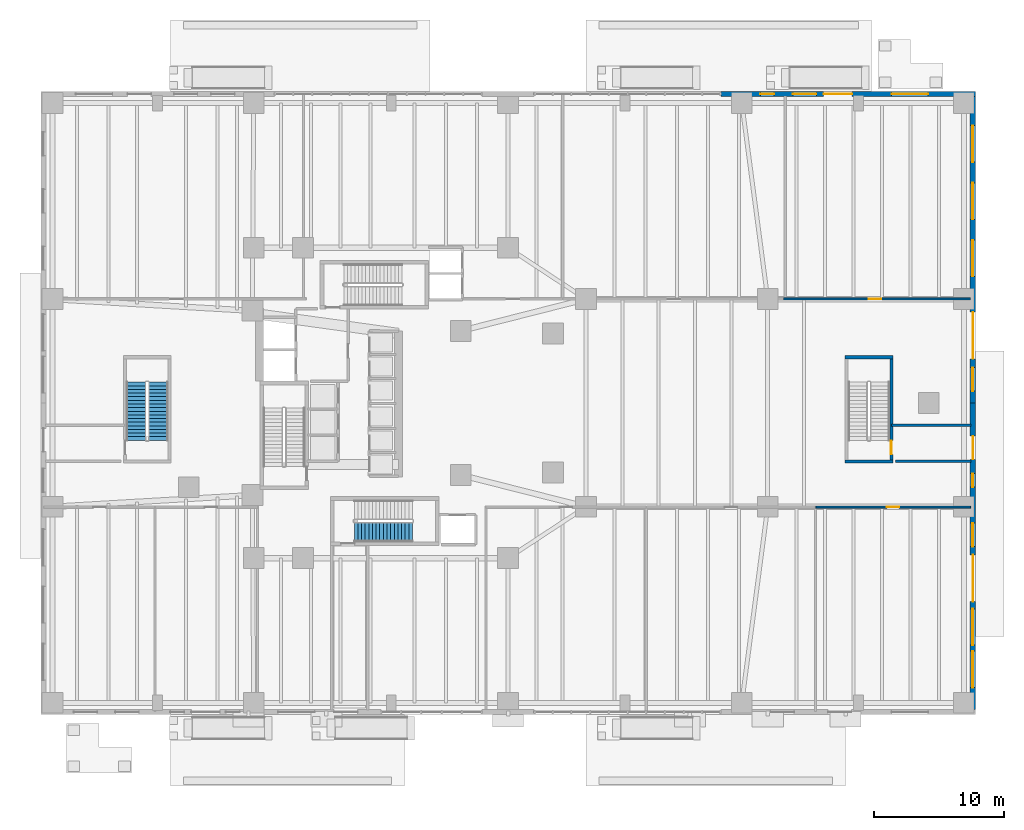
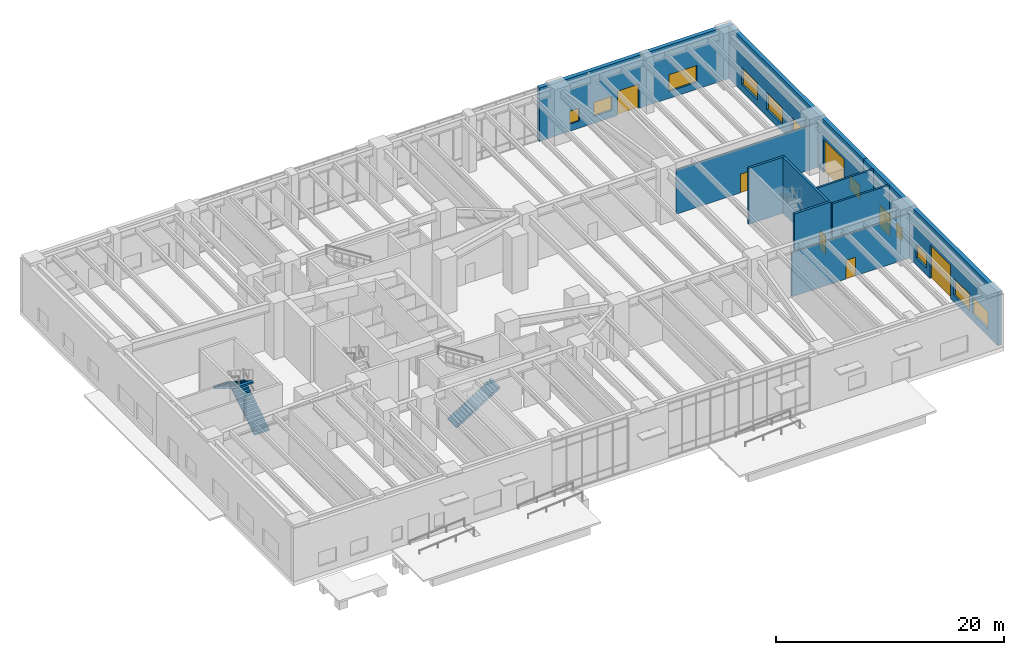
# One storey, part 22 of 28: 11 windows, 10 walls, 7 doors, 3 stair flights, 18 openings, 2 elements without a shape of their own.
"""IFC4 building model written with IfcOpenShell, lengths in metres."""

from ifc_helpers import new_model, si_unit, direction, frame, frame_2d, origin, place, context, subcontext, project, spatial, polyline, rectangle, outline, extrude, material, layer, layer_set, type_object, element, fill, aggregate, save


model = new_model("IFC4")

# Units and contexts
model_context = context("Model", 3, precision=1e-05, world=origin(), true_north=direction((0.0, 1.0)))
body_context = subcontext(model_context, "Body", "Model", "MODEL_VIEW")
ifc_project = project(units=[si_unit("LENGTHUNIT", "METRE"), si_unit("AREAUNIT", "SQUARE_METRE"), si_unit("VOLUMEUNIT", "CUBIC_METRE"), si_unit("PLANEANGLEUNIT", "RADIAN"), si_unit("MASSUNIT", "GRAM", prefix="KILO"), si_unit("THERMODYNAMICTEMPERATUREUNIT", "KELVIN"), si_unit("POWERUNIT", "WATT")], contexts=[model_context])

# Site, building, storey
site_placement = place(None, origin())
site = spatial("IfcSite", under=ifc_project, at=site_placement, CompositionType="ELEMENT")
building_placement = place(site_placement, origin())
building = spatial("IfcBuilding", under=site, at=building_placement, Name="Skarre Station Tower", CompositionType="ELEMENT")
storey_placement = place(building_placement, origin())
storey = spatial("IfcBuildingStorey", under=building, at=storey_placement, Name="L01", CompositionType="ELEMENT", Elevation=0.0)

# Wall, opening, door
ifc_material_1 = material(Name="Acoustic Steel-Stud Gypsum Partition", Category="steel")
ifc_layer_1 = layer(ifc_material_1, 0.14990234375, Name="Acoustic Steel-Stud Gypsum Partition")
ifc_layer_set_1 = layer_set([ifc_layer_1], Name="Acoustic Steel-Stud Gypsum Partition")
wall_type_1 = type_object("IfcWallType", Name="Fire-Rated Corridor Acoustic Partition 150", PredefinedType="PARTITIONING", material=ifc_layer_set_1)
wall_1_placement = place(storey_placement, frame((59.7041015625, 15.97998046875, 0.0), z_axis=(0.0, 0.0, 1.0), x_axis=(1.0, 0.0, 0.0)))
wall_1 = element("IfcWall", 1, at=wall_1_placement, inside=storey, type_object=wall_type_1, Name="L01 Interior Partition WL-PT-L01-PDSE3-CW", PredefinedType="PARTITIONING", context=body_context, shape_type="SweptSolid", body=[
    extrude(rectangle(XDim=11.916015625, YDim=0.14990234375, at=frame_2d((5.9580078125, 0.0))), origin(), (0.0, 0.0, 1.0), 4.741943359375),
])
opening_1_placement = place(wall_1_placement, frame((5.47802734375, 0.0, 0.0)))
opening_1 = element("IfcOpeningElement", 2, at=opening_1_placement, cuts=wall_1, Name="Opening DR-FD60", PredefinedType="OPENING", context=body_context, shape_type="SweptSolid", body=[
    extrude(rectangle(XDim=0.9599609375, YDim=2.0, at=frame_2d((0.47998046875, 1.0))), frame((0.0, 0.0849609375, 0.0), z_axis=(0.0, -1.0, 0.0), x_axis=(1.0, 0.0, 0.0)), (0.0, 0.0, 1.0), 0.169921875),
])
ifc_material_2 = material(Name="Nordic White-Oak Veneer Solid-Core Fire Leaf", Category="wood")
door_type_1 = type_object("IfcDoorType", Name="Corridor Suite Entry Fire Door FD60 960x2150", OperationType="SINGLE_SWING_LEFT", PredefinedType="DOOR", material=ifc_material_2)
door_1_placement = place(opening_1_placement, origin())
door_1 = element("IfcDoor", 3, at=door_1_placement, inside=storey, type_object=door_type_1, Name="L01 PDSE3 Entry Door", OperationType="SINGLE_SWING_LEFT", OverallHeight=2.0, OverallWidth=0.9599609375, PredefinedType="DOOR", context=body_context, shape_type="SweptSolid", body=[
    extrude(rectangle(XDim=0.9599609375, YDim=2.0, at=frame_2d((0.47998046875, 1.0))), frame((0.0, 0.02490234375, 0.0), z_axis=(0.0, -1.0, 0.0), x_axis=(1.0, 0.0, 0.0)), (0.0, 0.0, 1.0), 0.050048828125),
])
fill(opening_1, door_1)

wall_2_placement = place(storey_placement, frame((71.60498046875, 32.02001953125, 0.0), z_axis=(0.0, 0.0, 1.0), x_axis=(-1.0, 0.0, 0.0)))
wall_2 = element("IfcWall", 4, at=wall_2_placement, inside=storey, type_object=wall_type_1, Name="L01 Interior Partition WL-PT-L01-PDN4-CW", PredefinedType="PARTITIONING", context=body_context, shape_type="SweptSolid", body=[
    extrude(rectangle(XDim=14.380859375, YDim=0.14990234375, at=frame_2d((7.1904296875, 0.0))), origin(), (0.0, 0.0, 1.0), 4.741943359375),
])
opening_2_placement = place(wall_2_placement, frame((6.8798828125, 0.0, 0.0)))
opening_2 = element("IfcOpeningElement", 5, at=opening_2_placement, cuts=wall_2, Name="Opening DR-FD60", PredefinedType="OPENING", context=body_context, shape_type="SweptSolid", body=[
    extrude(rectangle(XDim=0.9599609375, YDim=2.0, at=frame_2d((0.47998046875, 1.0))), frame((0.0, 0.0849609375, 0.0), z_axis=(0.0, -1.0, 0.0), x_axis=(1.0, 0.0, 0.0)), (0.0, 0.0, 1.0), 0.169921875),
])
door_2_placement = place(opening_2_placement, origin())
door_2 = element("IfcDoor", 6, at=door_2_placement, inside=storey, type_object=door_type_1, Name="L01 PDN4 Entry Door", OperationType="SINGLE_SWING_LEFT", OverallHeight=2.0, OverallWidth=0.9599609375, PredefinedType="DOOR", context=body_context, shape_type="SweptSolid", body=[
    extrude(rectangle(XDim=0.9599609375, YDim=2.0, at=frame_2d((0.47998046875, 1.0))), frame((0.0, 0.02490234375, 0.0), z_axis=(0.0, -1.0, 0.0), x_axis=(1.0, 0.0, 0.0)), (0.0, 0.0, 1.0), 0.050048828125),
])
fill(opening_2, door_2)

# Wall, openings, windows, door
ifc_material_3 = material(Name="Precast concrete C45/55", Category="concrete")
ifc_layer_2 = layer(ifc_material_3, 0.39990234375, Name="Precast concrete C45/55")
ifc_layer_set_2 = layer_set([ifc_layer_2], Name="Precast concrete C45/55")
wall_type_2 = type_object("IfcWallType", Name="Nordic Granite Station Podium Wall 400", PredefinedType="STANDARD", material=ifc_layer_set_2)
wall_3_placement = place(storey_placement, frame((52.39990234375, 47.800048828125, 0.0), z_axis=(0.0, 0.0, 1.0), x_axis=(1.0, 0.0, 0.0)))
wall_3 = element("IfcWall", 7, at=wall_3_placement, inside=storey, type_object=wall_type_2, Name="L01 North Podium Granite Wall NC", PredefinedType="STANDARD", context=body_context, shape_type="SweptSolid", body=[
    extrude(rectangle(XDim=19.60009765625, YDim=0.39990234375, at=frame_2d((9.800048828125, 0.0))), origin(), (0.0, 0.0, 1.0), 5.68994140625),
])
opening_3_placement = place(wall_3_placement, frame((7.89990234375, 0.0, 0.0)))
opening_3 = element("IfcOpeningElement", 8, at=opening_3_placement, cuts=wall_3, Name="Opening DR-EXT220", PredefinedType="OPENING", context=body_context, shape_type="SweptSolid", body=[
    extrude(rectangle(XDim=2.199951171875, YDim=2.60009765625, at=frame_2d((1.10009765625, 1.300048828125))), frame((0.0, 0.2099609375, 0.0), z_axis=(0.0, -1.0, 0.0), x_axis=(1.0, 0.0, 0.0)), (0.0, 0.0, 1.0), 0.419921875),
])
opening_4_placement = place(wall_3_placement, frame((3.035888671875, 0.0, 0.75)))
opening_4 = element("IfcOpeningElement", 9, at=opening_4_placement, cuts=wall_3, Name="Opening WN-SLT", PredefinedType="OPENING", context=body_context, shape_type="SweptSolid", body=[
    extrude(rectangle(XDim=1.050048828125, YDim=1.39990234375, at=frame_2d((0.52490234375, 0.699951171875))), frame((0.0, 0.2099609375, 0.0), z_axis=(0.0, -1.0, 0.0), x_axis=(1.0, 0.0, 0.0)), (0.0, 0.0, 1.0), 0.419921875),
])
opening_5_placement = place(wall_3_placement, frame((5.54296875, 0.0, 0.75)))
opening_5 = element("IfcOpeningElement", 10, at=opening_5_placement, cuts=wall_3, Name="Opening WN-Z1A", PredefinedType="OPENING", context=body_context, shape_type="SweptSolid", body=[
    extrude(rectangle(XDim=1.800048828125, YDim=1.5, at=frame_2d((0.89990234375, 0.75))), frame((0.0, 0.2099609375, 0.0), z_axis=(0.0, -1.0, 0.0), x_axis=(1.0, 0.0, 0.0)), (0.0, 0.0, 1.0), 0.419921875),
])
opening_6_placement = place(wall_3_placement, frame((13.14990234375, 0.0, 0.75)))
opening_6 = element("IfcOpeningElement", 11, at=opening_6_placement, cuts=wall_3, Name="Opening WN-POD", PredefinedType="OPENING", context=body_context, shape_type="SweptSolid", body=[
    extrude(rectangle(XDim=2.800048828125, YDim=1.800048828125, at=frame_2d((1.39990234375, 0.89990234375))), frame((0.0, 0.2099609375, 0.0), z_axis=(0.0, -1.0, 0.0), x_axis=(1.0, 0.0, 0.0)), (0.0, 0.0, 1.0), 0.419921875),
])
ifc_material_4 = material(Name="Low-Iron Triple Glazing with Bronze Anodized Frame", Category="glass")
window_type_1 = type_object("IfcWindowType", Name="Nordic Corner Slot Window 1050x1400", PartitioningType="SINGLE_PANEL", PredefinedType="WINDOW", material=ifc_material_4)
window_1_placement = place(opening_4_placement, origin())
window_1 = element("IfcWindow", 12, at=window_1_placement, inside=storey, type_object=window_type_1, Name="L01 Facade Window WL-POD-L01-NC-1", OverallHeight=1.39990234375, OverallWidth=1.050048828125, PartitioningType="SINGLE_PANEL", PredefinedType="WINDOW", context=body_context, shape_type="SweptSolid", body=[
    extrude(rectangle(XDim=1.050048828125, YDim=1.39990234375, at=frame_2d((0.52490234375, 0.699951171875))), frame((0.0, 0.030029296875, 0.0), z_axis=(0.0, -1.0, 0.0), x_axis=(1.0, 0.0, 0.0)), (0.0, 0.0, 1.0), 0.06005859375),
])
fill(opening_4, window_1)
window_type_2 = type_object("IfcWindowType", Name="Nordic Punched Triple-Glazed Window 1800x1500", PartitioningType="SINGLE_PANEL", PredefinedType="WINDOW", material=ifc_material_4)
window_2_placement = place(opening_5_placement, origin())
window_2 = element("IfcWindow", 13, at=window_2_placement, inside=storey, type_object=window_type_2, Name="L01 Facade Window WL-POD-L01-NC-2", OverallHeight=1.5, OverallWidth=1.800048828125, PartitioningType="SINGLE_PANEL", PredefinedType="WINDOW", context=body_context, shape_type="SweptSolid", body=[
    extrude(rectangle(XDim=1.800048828125, YDim=1.5, at=frame_2d((0.89990234375, 0.75))), frame((0.0, 0.030029296875, 0.0), z_axis=(0.0, -1.0, 0.0), x_axis=(1.0, 0.0, 0.0)), (0.0, 0.0, 1.0), 0.06005859375),
])
fill(opening_5, window_2)
window_type_3 = type_object("IfcWindowType", Name="Podium Clerestory Ribbon Window 2800x1800", PartitioningType="SINGLE_PANEL", PredefinedType="WINDOW", material=ifc_material_4)
window_3_placement = place(opening_6_placement, origin())
window_3 = element("IfcWindow", 14, at=window_3_placement, inside=storey, type_object=window_type_3, Name="L01 Facade Window WL-POD-L01-NC-3", OverallHeight=1.800048828125, OverallWidth=2.800048828125, PartitioningType="SINGLE_PANEL", PredefinedType="WINDOW", context=body_context, shape_type="SweptSolid", body=[
    extrude(rectangle(XDim=2.800048828125, YDim=1.800048828125, at=frame_2d((1.39990234375, 0.89990234375))), frame((0.0, 0.030029296875, 0.0), z_axis=(0.0, -1.0, 0.0), x_axis=(1.0, 0.0, 0.0)), (0.0, 0.0, 1.0), 0.06005859375),
])
fill(opening_6, window_3)
ifc_material_5 = material(Name="Bronze Anodized Aluminium & Laminated Safety Glass", Category="aluminium")
door_type_2 = type_object("IfcDoorType", Name="Station Plaza Revolving & Swing Portal Door 2200x2600", OperationType="DOUBLE_DOOR_SINGLE_SWING", PredefinedType="DOOR", material=ifc_material_5)
door_3_placement = place(opening_3_placement, origin())
door_3 = element("IfcDoor", 15, at=door_3_placement, inside=storey, type_object=door_type_2, Name="L01 North Hospitality Drop-Off Entrance Door", OperationType="SINGLE_SWING_LEFT", OverallHeight=2.60009765625, OverallWidth=2.199951171875, PredefinedType="DOOR", context=body_context, shape_type="SweptSolid", body=[
    extrude(rectangle(XDim=2.199951171875, YDim=2.60009765625, at=frame_2d((1.10009765625, 1.300048828125))), frame((0.0, 0.02490234375, 0.0), z_axis=(0.0, -1.0, 0.0), x_axis=(1.0, 0.0, 0.0)), (0.0, 0.0, 1.0), 0.050048828125),
])
fill(opening_3, door_3)

# Wall, openings, door, windows
wall_4_placement = place(storey_placement, frame((71.800048828125, 47.60009765625, 0.0), z_axis=(0.0, 0.0, 1.0), x_axis=(0.0, -1.0, 0.0)))
wall_4 = element("IfcWall", 16, at=wall_4_placement, inside=storey, type_object=wall_type_2, Name="L01 Podium Granite Wall EA", PredefinedType="STANDARD", context=body_context, shape_type="SweptSolid", body=[
    extrude(rectangle(XDim=23.60009765625, YDim=0.39990234375, at=frame_2d((11.800048828125, 0.0))), origin(), (0.0, 0.0, 1.0), 5.68994140625),
])
opening_7_placement = place(wall_4_placement, frame((16.60009765625, 0.0, 0.0)))
opening_7 = element("IfcOpeningElement", 17, at=opening_7_placement, cuts=wall_4, Name="Opening GT-DOC360", PredefinedType="OPENING", context=body_context, shape_type="SweptSolid", body=[
    extrude(rectangle(XDim=3.60009765625, YDim=3.60009765625, at=frame_2d((1.800048828125, 1.800048828125))), frame((0.0, 0.2099609375, 0.0), z_axis=(0.0, -1.0, 0.0), x_axis=(1.0, 0.0, 0.0)), (0.0, 0.0, 1.0), 0.419921875),
])
opening_8_placement = place(wall_4_placement, frame((2.242919921875, 0.0, 0.75)))
opening_8 = element("IfcOpeningElement", 18, at=opening_8_placement, cuts=wall_4, Name="Opening WN-POD", PredefinedType="OPENING", context=body_context, shape_type="SweptSolid", body=[
    extrude(rectangle(XDim=2.800048828125, YDim=1.800048828125, at=frame_2d((1.39990234375, 0.89990234375))), frame((0.0, 0.2099609375, 0.0), z_axis=(0.0, -1.0, 0.0), x_axis=(1.0, 0.0, 0.0)), (0.0, 0.0, 1.0), 0.419921875),
])
opening_9_placement = place(wall_4_placement, frame((6.64990234375, 0.0, 0.75)))
opening_9 = element("IfcOpeningElement", 19, at=opening_9_placement, cuts=wall_4, Name="Opening WN-POD", PredefinedType="OPENING", context=body_context, shape_type="SweptSolid", body=[
    extrude(rectangle(XDim=2.800048828125, YDim=1.800048828125, at=frame_2d((1.39990234375, 0.89990234375))), frame((0.0, 0.2099609375, 0.0), z_axis=(0.0, -1.0, 0.0), x_axis=(1.0, 0.0, 0.0)), (0.0, 0.0, 1.0), 0.419921875),
])
opening_10_placement = place(wall_4_placement, frame((11.056884765625, 0.0, 0.75)))
opening_10 = element("IfcOpeningElement", 20, at=opening_10_placement, cuts=wall_4, Name="Opening WN-POD", PredefinedType="OPENING", context=body_context, shape_type="SweptSolid", body=[
    extrude(rectangle(XDim=2.800048828125, YDim=1.800048828125, at=frame_2d((1.39990234375, 0.89990234375))), frame((0.0, 0.2099609375, 0.0), z_axis=(0.0, -1.0, 0.0), x_axis=(1.0, 0.0, 0.0)), (0.0, 0.0, 1.0), 0.419921875),
])
opening_11_placement = place(wall_4_placement, frame((20.885009765625, 0.0, 0.75)))
opening_11 = element("IfcOpeningElement", 21, at=opening_11_placement, cuts=wall_4, Name="Opening WN-Z1A", PredefinedType="OPENING", context=body_context, shape_type="SweptSolid", body=[
    extrude(rectangle(XDim=1.800048828125, YDim=1.5, at=frame_2d((0.89990234375, 0.75))), frame((0.0, 0.2099609375, 0.0), z_axis=(0.0, -1.0, 0.0), x_axis=(1.0, 0.0, 0.0)), (0.0, 0.0, 1.0), 0.419921875),
])
ifc_material_6 = material(Name="Insulated Sectional Steel Overhead Gate", Category="steel")
door_type_3 = type_object("IfcDoorType", Name="Freight Dock High-Speed Overhead Gate 3600x3600", OperationType="ROLLINGUP", PredefinedType="GATE", material=ifc_material_6)
door_4_placement = place(opening_7_placement, origin())
door_4 = element("IfcDoor", 22, at=door_4_placement, inside=storey, type_object=door_type_3, Name="L01 East Refuse Servicing Overhead Gate 2", OperationType="ROLLINGUP", OverallHeight=3.60009765625, OverallWidth=3.60009765625, PredefinedType="GATE", context=body_context, shape_type="SweptSolid", body=[
    extrude(rectangle(XDim=3.60009765625, YDim=3.60009765625, at=frame_2d((1.800048828125, 1.800048828125))), frame((0.0, 0.02490234375, 0.0), z_axis=(0.0, -1.0, 0.0), x_axis=(1.0, 0.0, 0.0)), (0.0, 0.0, 1.0), 0.050048828125),
])
fill(opening_7, door_4)
window_4_placement = place(opening_11_placement, origin())
window_4 = element("IfcWindow", 23, at=window_4_placement, inside=storey, type_object=window_type_2, Name="L01 Facade Window WL-POD-L01-EA-4", OverallHeight=1.5, OverallWidth=1.800048828125, PartitioningType="SINGLE_PANEL", PredefinedType="WINDOW", context=body_context, shape_type="SweptSolid", body=[
    extrude(rectangle(XDim=1.800048828125, YDim=1.5, at=frame_2d((0.89990234375, 0.75))), frame((0.0, 0.030029296875, 0.0), z_axis=(0.0, -1.0, 0.0), x_axis=(1.0, 0.0, 0.0)), (0.0, 0.0, 1.0), 0.06005859375),
])
fill(opening_11, window_4)
window_5_placement = place(opening_8_placement, origin())
window_5 = element("IfcWindow", 24, at=window_5_placement, inside=storey, type_object=window_type_3, Name="L01 Facade Window WL-POD-L01-EA-1", OverallHeight=1.800048828125, OverallWidth=2.800048828125, PartitioningType="SINGLE_PANEL", PredefinedType="WINDOW", context=body_context, shape_type="SweptSolid", body=[
    extrude(rectangle(XDim=2.800048828125, YDim=1.800048828125, at=frame_2d((1.39990234375, 0.89990234375))), frame((0.0, 0.030029296875, 0.0), z_axis=(0.0, -1.0, 0.0), x_axis=(1.0, 0.0, 0.0)), (0.0, 0.0, 1.0), 0.06005859375),
])
fill(opening_8, window_5)
window_6_placement = place(opening_9_placement, origin())
window_6 = element("IfcWindow", 25, at=window_6_placement, inside=storey, type_object=window_type_3, Name="L01 Facade Window WL-POD-L01-EA-2", OverallHeight=1.800048828125, OverallWidth=2.800048828125, PartitioningType="SINGLE_PANEL", PredefinedType="WINDOW", context=body_context, shape_type="SweptSolid", body=[
    extrude(rectangle(XDim=2.800048828125, YDim=1.800048828125, at=frame_2d((1.39990234375, 0.89990234375))), frame((0.0, 0.030029296875, 0.0), z_axis=(0.0, -1.0, 0.0), x_axis=(1.0, 0.0, 0.0)), (0.0, 0.0, 1.0), 0.06005859375),
])
fill(opening_9, window_6)
window_7_placement = place(opening_10_placement, origin())
window_7 = element("IfcWindow", 26, at=window_7_placement, inside=storey, type_object=window_type_3, Name="L01 Facade Window WL-POD-L01-EA-3", OverallHeight=1.800048828125, OverallWidth=2.800048828125, PartitioningType="SINGLE_PANEL", PredefinedType="WINDOW", context=body_context, shape_type="SweptSolid", body=[
    extrude(rectangle(XDim=2.800048828125, YDim=1.800048828125, at=frame_2d((1.39990234375, 0.89990234375))), frame((0.0, 0.030029296875, 0.0), z_axis=(0.0, -1.0, 0.0), x_axis=(1.0, 0.0, 0.0)), (0.0, 0.0, 1.0), 0.06005859375),
])
fill(opening_10, window_7)

# Wall, openings, doors, windows
wall_5_placement = place(storey_placement, frame((71.800048828125, 24.0, 0.0), z_axis=(0.0, 0.0, 1.0), x_axis=(0.0, -1.0, 0.0)))
wall_5 = element("IfcWall", 27, at=wall_5_placement, inside=storey, type_object=wall_type_2, Name="L01 Podium Granite Wall EB", PredefinedType="STANDARD", context=body_context, shape_type="SweptSolid", body=[
    extrude(rectangle(XDim=23.60009765625, YDim=0.39990234375, at=frame_2d((11.800048828125, 0.0))), origin(), (0.0, 0.0, 1.0), 5.68994140625),
])
opening_12_placement = place(wall_5_placement, frame((2.550048828125, 0.0, 0.0)))
opening_12 = element("IfcOpeningElement", 28, at=opening_12_placement, cuts=wall_5, Name="Opening DR-EXIT180", PredefinedType="OPENING", context=body_context, shape_type="SweptSolid", body=[
    extrude(rectangle(XDim=1.800048828125, YDim=2.300048828125, at=frame_2d((0.89990234375, 1.14990234375))), frame((0.0, 0.2099609375, 0.0), z_axis=(0.0, -1.0, 0.0), x_axis=(1.0, 0.0, 0.0)), (0.0, 0.0, 1.0), 0.419921875),
])
opening_13_placement = place(wall_5_placement, frame((11.699951171875, 0.0, 0.0)))
opening_13 = element("IfcOpeningElement", 29, at=opening_13_placement, cuts=wall_5, Name="Opening GT-DOC360", PredefinedType="OPENING", context=body_context, shape_type="SweptSolid", body=[
    extrude(rectangle(XDim=3.60009765625, YDim=3.60009765625, at=frame_2d((1.800048828125, 1.800048828125))), frame((0.0, 0.2099609375, 0.0), z_axis=(0.0, -1.0, 0.0), x_axis=(1.0, 0.0, 0.0)), (0.0, 0.0, 1.0), 0.419921875),
])
opening_14_placement = place(wall_5_placement, frame((5.43505859375, 0.0, 0.75)))
opening_14 = element("IfcOpeningElement", 30, at=opening_14_placement, cuts=wall_5, Name="Opening WN-SLT", PredefinedType="OPENING", context=body_context, shape_type="SweptSolid", body=[
    extrude(rectangle(XDim=1.050048828125, YDim=1.39990234375, at=frame_2d((0.52490234375, 0.699951171875))), frame((0.0, 0.2099609375, 0.0), z_axis=(0.0, -1.0, 0.0), x_axis=(1.0, 0.0, 0.0)), (0.0, 0.0, 1.0), 0.419921875),
])
opening_15_placement = place(wall_5_placement, frame((9.260009765625, 0.0, 0.75)))
opening_15 = element("IfcOpeningElement", 31, at=opening_15_placement, cuts=wall_5, Name="Opening WN-Z1A", PredefinedType="OPENING", context=body_context, shape_type="SweptSolid", body=[
    extrude(rectangle(XDim=1.800048828125, YDim=1.5, at=frame_2d((0.89990234375, 0.75))), frame((0.0, 0.2099609375, 0.0), z_axis=(0.0, -1.0, 0.0), x_axis=(1.0, 0.0, 0.0)), (0.0, 0.0, 1.0), 0.419921875),
])
opening_16_placement = place(wall_5_placement, frame((15.85498046875, 0.0, 0.75)))
opening_16 = element("IfcOpeningElement", 32, at=opening_16_placement, cuts=wall_5, Name="Opening WN-POD", PredefinedType="OPENING", context=body_context, shape_type="SweptSolid", body=[
    extrude(rectangle(XDim=2.800048828125, YDim=1.800048828125, at=frame_2d((1.39990234375, 0.89990234375))), frame((0.0, 0.2099609375, 0.0), z_axis=(0.0, -1.0, 0.0), x_axis=(1.0, 0.0, 0.0)), (0.0, 0.0, 1.0), 0.419921875),
])
opening_17_placement = place(wall_5_placement, frame((19.125, 0.0, 0.75)))
opening_17 = element("IfcOpeningElement", 33, at=opening_17_placement, cuts=wall_5, Name="Opening WN-POD", PredefinedType="OPENING", context=body_context, shape_type="SweptSolid", body=[
    extrude(rectangle(XDim=2.800048828125, YDim=1.800048828125, at=frame_2d((1.39990234375, 0.89990234375))), frame((0.0, 0.2099609375, 0.0), z_axis=(0.0, -1.0, 0.0), x_axis=(1.0, 0.0, 0.0)), (0.0, 0.0, 1.0), 0.419921875),
])
ifc_material_7 = material(Name="Insulated Galvanized Steel Hollow-Metal Door", Category="steel")
door_type_4 = type_object("IfcDoorType", Name="Concourse Emergency Exit Discharge Door 1800x2300", OperationType="DOUBLE_DOOR_SINGLE_SWING", PredefinedType="DOOR", material=ifc_material_7)
door_5_placement = place(opening_12_placement, origin())
door_5 = element("IfcDoor", 34, at=door_5_placement, inside=storey, type_object=door_type_4, Name="L01 Stair ST-5 Protected Passageway Exterior Exit Door", OperationType="SINGLE_SWING_LEFT", OverallHeight=2.300048828125, OverallWidth=1.800048828125, PredefinedType="DOOR", context=body_context, shape_type="SweptSolid", body=[
    extrude(rectangle(XDim=1.800048828125, YDim=2.300048828125, at=frame_2d((0.89990234375, 1.14990234375))), frame((0.0, 0.02490234375, 0.0), z_axis=(0.0, -1.0, 0.0), x_axis=(1.0, 0.0, 0.0)), (0.0, 0.0, 1.0), 0.050048828125),
])
fill(opening_12, door_5)
door_6_placement = place(opening_13_placement, origin())
door_6 = element("IfcDoor", 35, at=door_6_placement, inside=storey, type_object=door_type_3, Name="L01 East Freight Loading Bay Overhead Gate 1", OperationType="ROLLINGUP", OverallHeight=3.60009765625, OverallWidth=3.60009765625, PredefinedType="GATE", context=body_context, shape_type="SweptSolid", body=[
    extrude(rectangle(XDim=3.60009765625, YDim=3.60009765625, at=frame_2d((1.800048828125, 1.800048828125))), frame((0.0, 0.02490234375, 0.0), z_axis=(0.0, -1.0, 0.0), x_axis=(1.0, 0.0, 0.0)), (0.0, 0.0, 1.0), 0.050048828125),
])
fill(opening_13, door_6)
window_8_placement = place(opening_14_placement, origin())
window_8 = element("IfcWindow", 36, at=window_8_placement, inside=storey, type_object=window_type_1, Name="L01 Facade Window WL-POD-L01-EB-1", OverallHeight=1.39990234375, OverallWidth=1.050048828125, PartitioningType="SINGLE_PANEL", PredefinedType="WINDOW", context=body_context, shape_type="SweptSolid", body=[
    extrude(rectangle(XDim=1.050048828125, YDim=1.39990234375, at=frame_2d((0.52490234375, 0.699951171875))), frame((0.0, 0.030029296875, 0.0), z_axis=(0.0, -1.0, 0.0), x_axis=(1.0, 0.0, 0.0)), (0.0, 0.0, 1.0), 0.06005859375),
])
fill(opening_14, window_8)
window_9_placement = place(opening_15_placement, origin())
window_9 = element("IfcWindow", 37, at=window_9_placement, inside=storey, type_object=window_type_2, Name="L01 Facade Window WL-POD-L01-EB-2", OverallHeight=1.5, OverallWidth=1.800048828125, PartitioningType="SINGLE_PANEL", PredefinedType="WINDOW", context=body_context, shape_type="SweptSolid", body=[
    extrude(rectangle(XDim=1.800048828125, YDim=1.5, at=frame_2d((0.89990234375, 0.75))), frame((0.0, 0.030029296875, 0.0), z_axis=(0.0, -1.0, 0.0), x_axis=(1.0, 0.0, 0.0)), (0.0, 0.0, 1.0), 0.06005859375),
])
fill(opening_15, window_9)
window_10_placement = place(opening_16_placement, origin())
window_10 = element("IfcWindow", 38, at=window_10_placement, inside=storey, type_object=window_type_3, Name="L01 Facade Window WL-POD-L01-EB-3", OverallHeight=1.800048828125, OverallWidth=2.800048828125, PartitioningType="SINGLE_PANEL", PredefinedType="WINDOW", context=body_context, shape_type="SweptSolid", body=[
    extrude(rectangle(XDim=2.800048828125, YDim=1.800048828125, at=frame_2d((1.39990234375, 0.89990234375))), frame((0.0, 0.030029296875, 0.0), z_axis=(0.0, -1.0, 0.0), x_axis=(1.0, 0.0, 0.0)), (0.0, 0.0, 1.0), 0.06005859375),
])
fill(opening_16, window_10)
window_11_placement = place(opening_17_placement, origin())
window_11 = element("IfcWindow", 39, at=window_11_placement, inside=storey, type_object=window_type_3, Name="L01 Facade Window WL-POD-L01-EB-4", OverallHeight=1.800048828125, OverallWidth=2.800048828125, PartitioningType="SINGLE_PANEL", PredefinedType="WINDOW", context=body_context, shape_type="SweptSolid", body=[
    extrude(rectangle(XDim=2.800048828125, YDim=1.800048828125, at=frame_2d((1.39990234375, 0.89990234375))), frame((0.0, 0.030029296875, 0.0), z_axis=(0.0, -1.0, 0.0), x_axis=(1.0, 0.0, 0.0)), (0.0, 0.0, 1.0), 0.06005859375),
])
fill(opening_17, window_11)

# Walls
ifc_material_8 = material(Name="Concrete C50/60", Category="concrete")
ifc_layer_3 = layer(ifc_material_8, 0.239990234375, Name="Concrete C50/60")
ifc_layer_set_3 = layer_set([ifc_layer_3], Name="Concrete C50/60")
wall_type_3 = type_object("IfcWallType", Name="RC Core Shear Wall 240", PredefinedType="SHEAR", material=ifc_layer_set_3)
for number, where, z_axis, x_axis, name in (
    (40, (61.9599609375, 19.47998046875, 0.0), (0.0, 0.0, 1.0), (1.0, 0.0, 0.0), "L01 Podium Stair ST-5 South Shear Wall"),
    (41, (65.639892578125, 27.52001953125, 0.0), (0.0, 0.0, 1.0), (-1.0, 0.0, 0.0), "L01 Podium Stair ST-5 North Shear Wall"),
):
    element("IfcWall", number, at=place(storey_placement, frame(where, z_axis=z_axis, x_axis=x_axis)), inside=storey, type_object=wall_type_3, Name=name, PredefinedType="SHEAR", context=body_context, shape_type="SweptSolid", body=[
        extrude(rectangle(XDim=3.679931640625, YDim=0.239990234375, at=frame_2d((1.83984375, 0.0))), origin(), (0.0, 0.0, 1.0), 6.0),
    ])

# Wall, opening, door
wall_6_placement = place(storey_placement, frame((65.52001953125, 27.39990234375, 0.0), z_axis=(0.0, 0.0, 1.0), x_axis=(0.0, -1.0, 0.0)))
wall_6 = element("IfcWall", 42, at=wall_6_placement, inside=storey, type_object=wall_type_3, Name="L01 Podium Stair ST-5 East Shear Wall", PredefinedType="SHEAR", context=body_context, shape_type="SweptSolid", body=[
    extrude(rectangle(XDim=7.7998046875, YDim=0.239990234375, at=frame_2d((3.89990234375, 0.0))), origin(), (0.0, 0.0, 1.0), 6.0),
])
opening_18_placement = place(wall_6_placement, frame((6.31005859375, 0.0, 0.0)))
opening_18 = element("IfcOpeningElement", 43, at=opening_18_placement, cuts=wall_6, Name="Opening DR-FD90", PredefinedType="OPENING", context=body_context, shape_type="SweptSolid", body=[
    extrude(rectangle(XDim=1.050048828125, YDim=2.0, at=frame_2d((0.52490234375, 1.0))), frame((0.0, 0.1298828125, 0.0), z_axis=(0.0, -1.0, 0.0), x_axis=(1.0, 0.0, 0.0)), (0.0, 0.0, 1.0), 0.260009765625),
])
ifc_material_9 = material(Name="Fire-Rated Insulated Steel Frame & Timber Core Leaf", Category="steel")
door_type_5 = type_object("IfcDoorType", Name="Stair & FSAE Lobby Fire Door FD90 1050x2150", OperationType="SINGLE_SWING_RIGHT", PredefinedType="DOOR", material=ifc_material_9)
door_7_placement = place(opening_18_placement, origin())
door_7 = element("IfcDoor", 44, at=door_7_placement, inside=storey, type_object=door_type_5, Name="L01 Podium Stair ST-5 Exit Door", OperationType="SINGLE_SWING_LEFT", OverallHeight=2.0, OverallWidth=1.050048828125, PredefinedType="DOOR", context=body_context, shape_type="SweptSolid", body=[
    extrude(rectangle(XDim=1.050048828125, YDim=2.0, at=frame_2d((0.52490234375, 1.0))), frame((0.0, 0.02490234375, 0.0), z_axis=(0.0, -1.0, 0.0), x_axis=(1.0, 0.0, 0.0)), (0.0, 0.0, 1.0), 0.050048828125),
])
fill(opening_18, door_7)

# Walls
ifc_material_10 = material(Name="Gypsum Concrete Shaft Assembly C30/37", Category="concrete")
ifc_layer_4 = layer(ifc_material_10, 0.199951171875, Name="Gypsum Concrete Shaft Assembly C30/37")
ifc_layer_set_4 = layer_set([ifc_layer_4], Name="Gypsum Concrete Shaft Assembly C30/37")
wall_type_4 = type_object("IfcWallType", Name="Shaft & Core Fire Partition 200", PredefinedType="PARTITIONING", material=ifc_layer_set_4)
wall_7_placement = place(storey_placement, frame((65.8310546875, 19.52001953125, 0.0), z_axis=(0.0, 0.0, 1.0), x_axis=(1.0, 0.0, 0.0)))
element("IfcWall", 45, at=wall_7_placement, inside=storey, type_object=wall_type_4, Name="L01 Interior Partition WL-PT-L01-EXPE-S", PredefinedType="PARTITIONING", context=body_context, shape_type="SweptSolid", body=[
    extrude(rectangle(XDim=5.81884765625, YDim=0.199951171875, at=frame_2d((2.909423828125, 0.0))), origin(), (0.0, 0.0, 1.0), 5.68994140625),
])
wall_8_placement = place(storey_placement, frame((71.64990234375, 22.280029296875, 0.0), z_axis=(0.0, 0.0, 1.0), x_axis=(-1.0, 0.0, 0.0)))
element("IfcWall", 46, at=wall_8_placement, inside=storey, type_object=wall_type_4, Name="L01 Interior Partition WL-PT-L01-EXPE-N", PredefinedType="PARTITIONING", context=body_context, shape_type="SweptSolid", body=[
    extrude(rectangle(XDim=6.10986328125, YDim=0.199951171875, at=frame_2d((3.054931640625, 0.0))), origin(), (0.0, 0.0, 1.0), 5.68994140625),
])

# Stair, stair flight
ifc_material_11 = material(Name="Concrete C40/50", Category="concrete")
stair_type_1 = type_object("IfcStairType", Name="Reinforced Concrete Exit Stair ST-2", PredefinedType="HALF_TURN_STAIR", material=ifc_material_11)
stair_1_placement = place(storey_placement, origin())
stair_1 = element("IfcStair", 47, at=stair_1_placement, inside=storey, type_object=stair_type_1, Name="L01 Core Exit Stair ST-2", PredefinedType="HALF_TURN_STAIR")
stair_flight_type_1 = type_object("IfcStairFlightType", Name="Reinforced Concrete Stair Flight ST-2", PredefinedType="STRAIGHT", material=ifc_material_11)
stair_flight_1_placement = place(storey_placement, frame((24.14990234375, 14.06005859375, 0.0), z_axis=(0.0, 0.0, 1.0), x_axis=(1.0, 0.0, 0.0)))
stair_flight_1 = element("IfcStairFlight", 48, at=stair_flight_1_placement, type_object=stair_flight_type_1, Name="ST-2 flight 1", NumberOfRisers=17, NumberOfTreads=16, PredefinedType="STRAIGHT", RiserHeight=0.176470588, TreadLength=0.28, context=body_context, shape_type="SweptSolid", body=[
    extrude(outline(polyline([(0.0, 0.0), (0.0, 0.176513671875), (0.280029296875, 0.176513671875), (0.280029296875, 0.35302734375), (0.56005859375, 0.35302734375), (0.56005859375, 0.529296875), (0.840087890625, 0.529296875), (0.840087890625, 0.705810546875), (1.1201171875, 0.705810546875), (1.1201171875, 0.88232421875), (1.39990234375, 0.88232421875), (1.39990234375, 1.058837890625), (1.679931640625, 1.058837890625), (1.679931640625, 1.2353515625), (1.9599609375, 1.2353515625), (1.9599609375, 1.411865234375), (2.239990234375, 1.411865234375), (2.239990234375, 1.588134765625), (2.52001953125, 1.588134765625), (2.52001953125, 1.7646484375), (2.800048828125, 1.7646484375), (2.800048828125, 1.941162109375), (3.080078125, 1.941162109375), (3.080078125, 2.11767578125), (3.360107421875, 2.11767578125), (3.360107421875, 2.294189453125), (3.639892578125, 2.294189453125), (3.639892578125, 2.470703125), (3.919921875, 2.470703125), (3.919921875, 2.64697265625), (4.199951171875, 2.64697265625), (4.199951171875, 2.823486328125), (4.47998046875, 2.823486328125), (4.47998046875, 3.0), (4.47998046875, 2.646240234375), (0.28125, 0.0), (0.0, 0.0)])), frame((0.0, 0.760009765625, 0.0), z_axis=(0.0, -1.0, 0.0), x_axis=(1.0, 0.0, 0.0)), (0.0, 0.0, 1.0), 1.52001953125),
])
aggregate(stair_1, [stair_flight_1])

# Stair, stair flights
stair_type_2 = type_object("IfcStairType", Name="Reinforced Concrete Exit Stair ST-4", PredefinedType="HALF_TURN_STAIR", material=ifc_material_11)
stair_2_placement = place(storey_placement, origin())
stair_2 = element("IfcStair", 49, at=stair_2_placement, inside=storey, type_object=stair_type_2, Name="L01 Podium Concourse Exit Stair ST-4", PredefinedType="HALF_TURN_STAIR")
stair_flight_type_2 = type_object("IfcStairFlightType", Name="Reinforced Concrete Stair Flight ST-4", PredefinedType="STRAIGHT", material=ifc_material_11)
stair_flight_2_placement = place(storey_placement, frame((9.0400390625, 21.1201171875, 0.0), z_axis=(0.0, 0.0, 1.0), x_axis=(0.0, 1.0, 0.0)))
stair_flight_2 = element("IfcStairFlight", 50, at=stair_flight_2_placement, type_object=stair_flight_type_2, Name="ST-4 flight 1", NumberOfRisers=17, NumberOfTreads=16, PredefinedType="STRAIGHT", RiserHeight=0.176470588, TreadLength=0.28, context=body_context, shape_type="SweptSolid", body=[
    extrude(outline(polyline([(0.0, 0.0), (0.0, 0.176513671875), (0.280029296875, 0.176513671875), (0.280029296875, 0.35302734375), (0.56005859375, 0.35302734375), (0.56005859375, 0.529296875), (0.840087890625, 0.529296875), (0.840087890625, 0.705810546875), (1.1201171875, 0.705810546875), (1.1201171875, 0.88232421875), (1.39990234375, 0.88232421875), (1.39990234375, 1.058837890625), (1.679931640625, 1.058837890625), (1.679931640625, 1.2353515625), (1.9599609375, 1.2353515625), (1.9599609375, 1.411865234375), (2.239990234375, 1.411865234375), (2.239990234375, 1.588134765625), (2.52001953125, 1.588134765625), (2.52001953125, 1.7646484375), (2.800048828125, 1.7646484375), (2.800048828125, 1.941162109375), (3.080078125, 1.941162109375), (3.080078125, 2.11767578125), (3.360107421875, 2.11767578125), (3.360107421875, 2.294189453125), (3.639892578125, 2.294189453125), (3.639892578125, 2.470703125), (3.919921875, 2.470703125), (3.919921875, 2.64697265625), (4.199951171875, 2.64697265625), (4.199951171875, 2.823486328125), (4.47998046875, 2.823486328125), (4.47998046875, 3.0), (4.47998046875, 2.646240234375), (0.28125, 0.0), (0.0, 0.0)])), frame((0.0, 0.760009765625, 0.0), z_axis=(0.0, -1.0, 0.0), x_axis=(1.0, 0.0, 0.0)), (0.0, 0.0, 1.0), 1.52001953125),
])
stair_flight_3_placement = place(storey_placement, frame((7.360107421875, 25.60009765625, 3.0), z_axis=(0.0, 0.0, 1.0), x_axis=(0.0, -1.0, 0.0)))
stair_flight_3 = element("IfcStairFlight", 51, at=stair_flight_3_placement, type_object=stair_flight_type_2, Name="ST-4 flight 2", NumberOfRisers=17, NumberOfTreads=16, PredefinedType="STRAIGHT", RiserHeight=0.176470588, TreadLength=0.28, context=body_context, shape_type="SweptSolid", body=[
    extrude(outline(polyline([(0.0, 0.0), (0.0, 0.176513671875), (0.280029296875, 0.176513671875), (0.280029296875, 0.35302734375), (0.56005859375, 0.35302734375), (0.56005859375, 0.529296875), (0.840087890625, 0.529296875), (0.840087890625, 0.705810546875), (1.1201171875, 0.705810546875), (1.1201171875, 0.88232421875), (1.39990234375, 0.88232421875), (1.39990234375, 1.058837890625), (1.679931640625, 1.058837890625), (1.679931640625, 1.2353515625), (1.9599609375, 1.2353515625), (1.9599609375, 1.411865234375), (2.239990234375, 1.411865234375), (2.239990234375, 1.588134765625), (2.52001953125, 1.588134765625), (2.52001953125, 1.7646484375), (2.800048828125, 1.7646484375), (2.800048828125, 1.941162109375), (3.080078125, 1.941162109375), (3.080078125, 2.11767578125), (3.360107421875, 2.11767578125), (3.360107421875, 2.294189453125), (3.639892578125, 2.294189453125), (3.639892578125, 2.470703125), (3.919921875, 2.470703125), (3.919921875, 2.64697265625), (4.199951171875, 2.64697265625), (4.199951171875, 2.823486328125), (4.47998046875, 2.823486328125), (4.47998046875, 3.0), (4.47998046875, 2.646240234375), (0.28125, 0.0), (0.0, 0.0)])), frame((0.0, 0.760009765625, 0.0), z_axis=(0.0, -1.0, 0.0), x_axis=(1.0, 0.0, 0.0)), (0.0, 0.0, 1.0), 1.52001953125),
])
aggregate(stair_2, [stair_flight_2, stair_flight_3])

save(model, "model.ifc")
